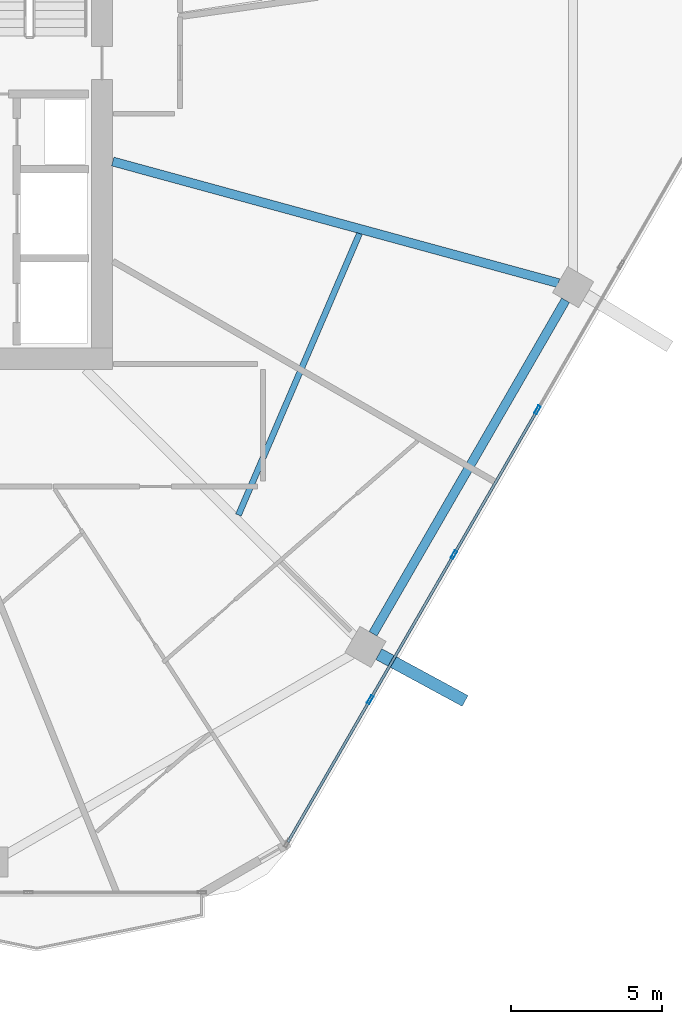
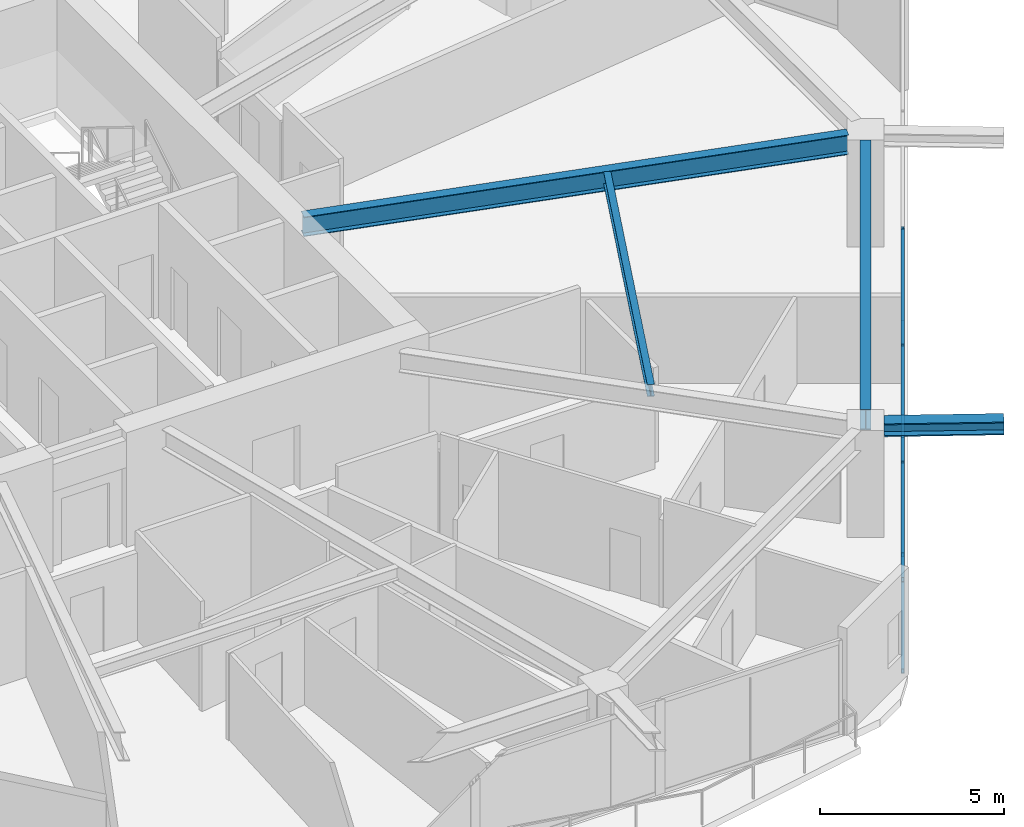
# One storey, part 8 of 25: 9 members, 4 beams, 1 element without a shape of its own.
"""IFC4 building model written with IfcOpenShell, lengths in metres."""

from ifc_helpers import new_model, si_unit, direction, frame, origin, origin_2d, place, context, subcontext, project, spatial, hollow_rectangle, i_section, extrude, material, material_profile, profile_set, type_object, element, aggregate, save


model = new_model("IFC4")

# Units and contexts
model_context = context("Model", 3, precision=1e-05, world=origin(), true_north=direction((0.0, 1.0)))
body_context = subcontext(model_context, "Body", "Model", "MODEL_VIEW")
ifc_project = project(units=[si_unit("LENGTHUNIT", "METRE"), si_unit("AREAUNIT", "SQUARE_METRE"), si_unit("VOLUMEUNIT", "CUBIC_METRE"), si_unit("PLANEANGLEUNIT", "RADIAN"), si_unit("MASSUNIT", "GRAM", prefix="KILO")], contexts=[model_context])

# Site, building, storey
site_placement = place(None, origin())
site = spatial("IfcSite", under=ifc_project, at=site_placement, CompositionType="ELEMENT")
building_placement = place(site_placement, origin())
building = spatial("IfcBuilding", under=site, at=building_placement, Name="Zuhravey Tower", CompositionType="ELEMENT")
storey_placement = place(building_placement, frame((0.0, 0.0, 150.39990234375)))
storey = spatial("IfcBuildingStorey", under=building, at=storey_placement, Name="L37", CompositionType="ELEMENT", Elevation=150.39990234375)

# Curtain wall, members
ifc_material_1 = material(Name="Thermally broken anodised aluminium", Category="aluminium")
curtain_wall_type = type_object("IfcCurtainWallType", Name="Zone 1-2 Residential Curtain Wall CW3", PredefinedType="NOTDEFINED", material=ifc_material_1)
curtain_wall_placement = place(storey_placement, origin())
curtain_wall = element("IfcCurtainWall", 1, at=curtain_wall_placement, inside=storey, type_object=curtain_wall_type, Name="L37 CW3 CW-L37-F6-1", PredefinedType="NOTDEFINED")
ifc_material_2 = material(Name="Anodised aluminium", Category="aluminium")
ifc_material_profile_1 = material_profile(ifc_material_2, hollow_rectangle(XDim=0.090087890625, YDim=0.284912109375, WallThickness=0.0048828125, at=origin_2d()), Name="ALU-RHS-90x285x5")
ifc_profile_set_1 = profile_set([ifc_material_profile_1], Name="Anodised aluminium")
member_type_1 = type_object("IfcMemberType", Name="Curtain-Wall Mullion 90x180", PredefinedType="MULLION", material=ifc_profile_set_1)
member_1_placement = place(storey_placement, frame((60.92724609375, 20.809326171875, 0.0), z_axis=(0.0, 0.0, 1.0), x_axis=(0.866025138215, -0.500000459979, 0.0)))
member_1 = element("IfcMember", 2, at=member_1_placement, type_object=member_type_1, Name="CW3 mullion 3", PredefinedType="MULLION", context=body_context, shape_type="SweptSolid", body=[
    extrude(hollow_rectangle(XDim=0.090087890625, YDim=0.284912109375, WallThickness=0.0048828125, at=origin_2d()), origin(), (0.0, 0.0, 1.0), 3.1220703125),
])
member_2_placement = place(storey_placement, frame((58.155029296875, 16.007568359375, 0.0), z_axis=(0.0, 0.0, 1.0), x_axis=(0.866025138215, -0.500000459979, 0.0)))
member_2 = element("IfcMember", 3, at=member_2_placement, type_object=member_type_1, Name="CW3 mullion 4", PredefinedType="MULLION", context=body_context, shape_type="SweptSolid", body=[
    extrude(hollow_rectangle(XDim=0.090087890625, YDim=0.284912109375, WallThickness=0.0048828125, at=origin_2d()), origin(), (0.0, 0.0, 1.0), 3.1220703125),
])
member_3_placement = place(storey_placement, frame((55.3828125, 11.2060546875, 0.0), z_axis=(0.0, 0.0, 1.0), x_axis=(0.866025138215, -0.500000459979, 0.0)))
member_3 = element("IfcMember", 4, at=member_3_placement, type_object=member_type_1, Name="CW3 mullion 5", PredefinedType="MULLION", context=body_context, shape_type="SweptSolid", body=[
    extrude(hollow_rectangle(XDim=0.090087890625, YDim=0.284912109375, WallThickness=0.0048828125, at=origin_2d()), origin(), (0.0, 0.0, 1.0), 3.1220703125),
])
ifc_material_profile_2 = material_profile(ifc_material_2, hollow_rectangle(XDim=0.090087890625, YDim=0.14990234375, WallThickness=0.0048828125, at=origin_2d()), Name="ALU-RHS-90x150x5")
ifc_profile_set_2 = profile_set([ifc_material_profile_2], Name="Anodised aluminium")
member_type_2 = type_object("IfcMemberType", Name="Curtain-Wall Transom 90x150", PredefinedType="USERDEFINED", material=ifc_profile_set_2)
member_4_placement = place(storey_placement, frame((60.90478515625, 20.770263671875, 0.045166015625), z_axis=(-0.499980763544, -0.866036509673, 0.0), x_axis=(0.866036509673, -0.499980763544, 0.0)))
member_4 = element("IfcMember", 5, at=member_4_placement, type_object=member_type_2, Name="CW3 transom 3.1", ObjectType="TRANSOM", PredefinedType="USERDEFINED", context=body_context, shape_type="SweptSolid", body=[
    extrude(hollow_rectangle(XDim=0.090087890625, YDim=0.14990234375, WallThickness=0.0048828125, at=origin_2d()), origin(), (0.0, 0.0, 1.0), 5.454345703125),
])
member_5_placement = place(storey_placement, frame((60.90478515625, 20.770263671875, 3.0771484375), z_axis=(-0.499980763544, -0.866036509673, 0.0), x_axis=(0.866036509673, -0.499980763544, 0.0)))
member_5 = element("IfcMember", 6, at=member_5_placement, type_object=member_type_2, Name="CW3 transom 3.2", ObjectType="TRANSOM", PredefinedType="USERDEFINED", context=body_context, shape_type="SweptSolid", body=[
    extrude(hollow_rectangle(XDim=0.090087890625, YDim=0.14990234375, WallThickness=0.0048828125, at=origin_2d()), origin(), (0.0, 0.0, 1.0), 5.454345703125),
])
member_6_placement = place(storey_placement, frame((58.132568359375, 15.96875, 0.045166015625), z_axis=(-0.49996138257, -0.86604769842, 0.0), x_axis=(0.86604769842, -0.49996138257, 0.0)))
member_6 = element("IfcMember", 7, at=member_6_placement, type_object=member_type_2, Name="CW3 transom 4.1", ObjectType="TRANSOM", PredefinedType="USERDEFINED", context=body_context, shape_type="SweptSolid", body=[
    extrude(hollow_rectangle(XDim=0.090087890625, YDim=0.14990234375, WallThickness=0.0048828125, at=origin_2d()), origin(), (0.0, 0.0, 1.0), 5.45458984375),
])
member_7_placement = place(storey_placement, frame((58.132568359375, 15.96875, 3.0771484375), z_axis=(-0.49996138257, -0.86604769842, 0.0), x_axis=(0.86604769842, -0.49996138257, 0.0)))
member_7 = element("IfcMember", 8, at=member_7_placement, type_object=member_type_2, Name="CW3 transom 4.2", ObjectType="TRANSOM", PredefinedType="USERDEFINED", context=body_context, shape_type="SweptSolid", body=[
    extrude(hollow_rectangle(XDim=0.090087890625, YDim=0.14990234375, WallThickness=0.0048828125, at=origin_2d()), origin(), (0.0, 0.0, 1.0), 5.45458984375),
])
member_8_placement = place(storey_placement, frame((55.3603515625, 11.1669921875, 0.045166015625), z_axis=(-0.499993332629, -0.866029253159, 0.0), x_axis=(0.866029253159, -0.499993332629, 0.0)))
member_8 = element("IfcMember", 9, at=member_8_placement, type_object=member_type_2, Name="CW3 transom 5.1", ObjectType="TRANSOM", PredefinedType="USERDEFINED", context=body_context, shape_type="SweptSolid", body=[
    extrude(hollow_rectangle(XDim=0.090087890625, YDim=0.14990234375, WallThickness=0.0048828125, at=origin_2d()), origin(), (0.0, 0.0, 1.0), 5.4091796875),
])
member_9_placement = place(storey_placement, frame((55.3603515625, 11.1669921875, 3.0771484375), z_axis=(-0.499993332629, -0.866029253159, 0.0), x_axis=(0.866029253159, -0.499993332629, 0.0)))
member_9 = element("IfcMember", 10, at=member_9_placement, type_object=member_type_2, Name="CW3 transom 5.2", ObjectType="TRANSOM", PredefinedType="USERDEFINED", context=body_context, shape_type="SweptSolid", body=[
    extrude(hollow_rectangle(XDim=0.090087890625, YDim=0.14990234375, WallThickness=0.0048828125, at=origin_2d()), origin(), (0.0, 0.0, 1.0), 5.4091796875),
])
aggregate(curtain_wall, [member_1, member_2, member_3, member_4, member_5, member_6, member_7, member_8, member_9])

# Beams
ifc_material_3 = material(Name="Steel SM460", Category="steel")
ifc_material_profile_3 = material_profile(ifc_material_3, i_section(OverallWidth=0.406982421875, OverallDepth=0.427978515625, WebThickness=0.02001953125, FlangeThickness=0.034912109375, at=origin_2d()), Name="H-428x407x20x35")
ifc_profile_set_3 = profile_set([ifc_material_profile_3], Name="Steel SM460")
beam_type_1 = type_object("IfcBeamType", Name="Exoskeleton Node Tie Beam H428x407", PredefinedType="BEAM", material=ifc_profile_set_3)
beam_1_placement = place(storey_placement, frame((55.668701171875, 12.713134765625, 3.336181640625), z_axis=(0.87911769022, -0.476604748972, 0.0), x_axis=(0.476604748972, 0.87911769022, 0.0)))
element("IfcBeam", 11, at=beam_1_placement, inside=storey, type_object=beam_type_1, Name="L37 Exoskeleton Node Tie NT1-11", PredefinedType="BEAM", context=body_context, shape_type="SweptSolid", body=[
    extrude(i_section(OverallWidth=0.406982421875, OverallDepth=0.427978515625, WebThickness=0.02001953125, FlangeThickness=0.034912109375, at=origin_2d()), origin(), (0.0, 0.0, 1.0), 3.252197265625),
])
ifc_material_4 = material(Name="Steel SM355", Category="steel")
ifc_material_profile_4 = material_profile(ifc_material_4, i_section(OverallWidth=0.300048828125, OverallDepth=0.679931640625, WebThickness=0.012939453125, FlangeThickness=0.02197265625, at=origin_2d()), Name="H-680x300x13x22")
ifc_profile_set_4 = profile_set([ifc_material_profile_4], Name="Steel SM355")
beam_type_2 = type_object("IfcBeamType", Name="Perimeter Ring Beam H680x300", PredefinedType="BEAM", material=ifc_profile_set_4)
beam_2_placement = place(storey_placement, frame((55.47705078125, 13.388916015625, 3.210205078125), z_axis=(0.499997974489, 0.866026573211, 0.0), x_axis=(-0.866026573211, 0.499997974489, 0.0)))
element("IfcBeam", 12, at=beam_2_placement, inside=storey, type_object=beam_type_2, Name="L37 PB2 BM-L37-PB-11", PredefinedType="BEAM", context=body_context, shape_type="SweptSolid", body=[
    extrude(i_section(OverallWidth=0.300048828125, OverallDepth=0.679931640625, WebThickness=0.012939453125, FlangeThickness=0.02197265625, at=origin_2d()), origin(), (0.0, 0.0, 1.0), 12.75830078125),
])
ifc_material_profile_5 = material_profile(ifc_material_4, i_section(OverallWidth=0.300048828125, OverallDepth=0.64990234375, WebThickness=0.012939453125, FlangeThickness=0.02197265625, at=origin_2d()), Name="H-650x300x13x22")
ifc_profile_set_5 = profile_set([ifc_material_profile_5], Name="Steel SM355")
beam_type_3 = type_object("IfcBeamType", Name="Radial Primary Girder H650x300", PredefinedType="BEAM", material=ifc_profile_set_5)
beam_3_placement = place(storey_placement, frame((46.85302734375, 29.03759765625, 3.22509765625), z_axis=(0.964701601771, -0.263345437667, 0.0), x_axis=(0.263345437667, 0.964701601771, 0.0)))
element("IfcBeam", 13, at=beam_3_placement, inside=storey, type_object=beam_type_3, Name="L37 RG2 BM-L37-RAD-12", PredefinedType="BEAM", context=body_context, shape_type="SweptSolid", body=[
    extrude(i_section(OverallWidth=0.300048828125, OverallDepth=0.64990234375, WebThickness=0.012939453125, FlangeThickness=0.02197265625, at=origin_2d()), origin(), (0.0, 0.0, 1.0), 15.309814453125),
])
ifc_material_profile_6 = material_profile(ifc_material_4, i_section(OverallWidth=0.199951171875, OverallDepth=0.39990234375, WebThickness=0.008056640625, FlangeThickness=0.012939453125, at=origin_2d()), Name="H-400x200x8x13")
ifc_profile_set_6 = profile_set([ifc_material_profile_6], Name="Steel SM355")
beam_type_4 = type_object("IfcBeamType", Name="Secondary Floor Joist H400x200", PredefinedType="JOIST", material=ifc_profile_set_6)
beam_4_placement = place(storey_placement, frame((51.017578125, 17.323974609375, 3.35009765625), z_axis=(0.395265853487, 0.918566766799, 0.0), x_axis=(-0.918566766799, 0.395265853487, 0.0)))
element("IfcBeam", 14, at=beam_4_placement, inside=storey, type_object=beam_type_4, Name="L37 SJ2 BM-L37-SJ-11-1", PredefinedType="JOIST", context=body_context, shape_type="SweptSolid", body=[
    extrude(i_section(OverallWidth=0.199951171875, OverallDepth=0.39990234375, WebThickness=0.008056640625, FlangeThickness=0.012939453125, at=origin_2d()), origin(), (0.0, 0.0, 1.0), 10.150146484375),
])

save(model, "model.ifc")
